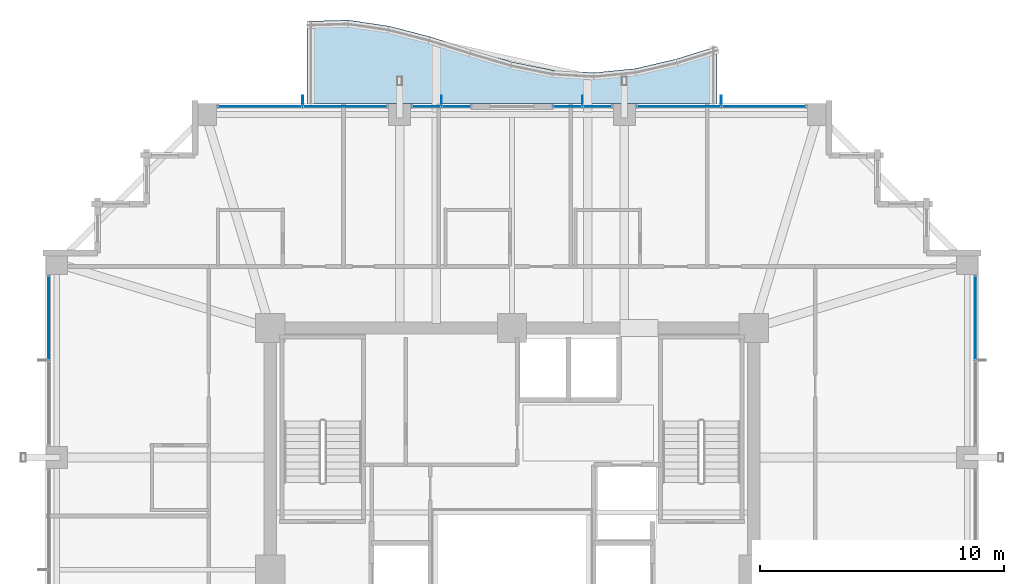
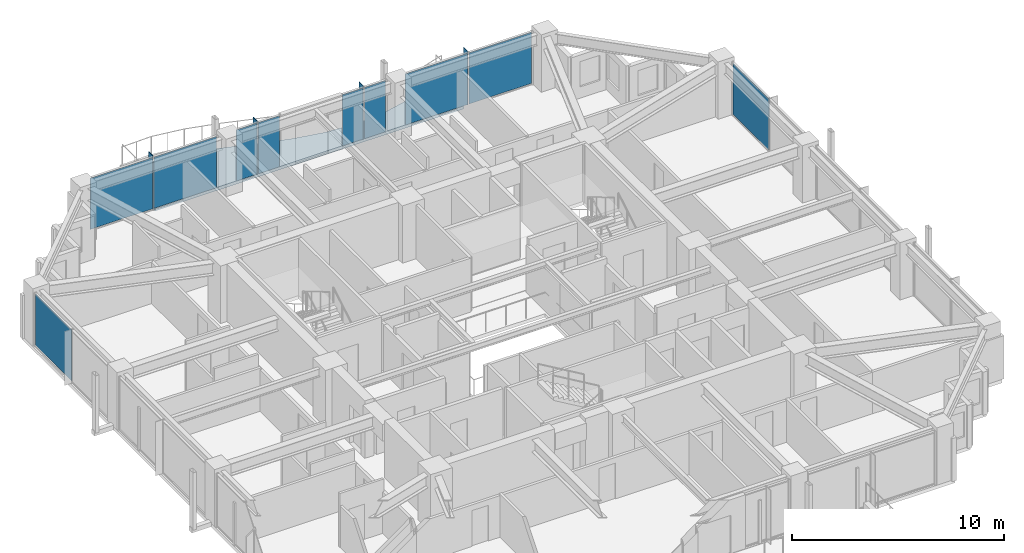
# One storey, part 25 of 32: 14 plates, 1 slab, 6 elements without a shape of their own.
"""IFC4 building model written with IfcOpenShell, lengths in metres."""

import ifcopenshell
import ifcopenshell.guid

model = None  # the IFC model being written
_history = None  # IfcOwnerHistory: only IFC2X3 demands one
_inside = {}  # id of a spatial element -> (the spatial element, [elements in it])
_under = {}  # id of a project, library or spatial element -> (it, [spatial elements below it])
_declared = {}  # id of a project -> (the project, [libraries it declares])
_typed = {}  # id of a type object -> (the type object, [elements of that type])
_made_of = {}  # id of a material, layer set ... -> (it, [elements and type objects made of it])


def new_model(schema):
    """Start an empty IFC model of exactly this schema.

    Asked for "IFC4X3", IfcOpenShell would pick the latest addendum, in which some entities
    have other attributes; the version numbers below select the first issue.
    IFC2X3 requires an IfcOwnerHistory on every rooted entity: one is made here for all.
    """
    global model, _history
    if schema == "IFC4X3":
        model = ifcopenshell.file(schema_version=(4, 3, 0, 0))
    else:
        model = ifcopenshell.file(schema=schema)
    _inside.clear()
    _under.clear()
    _declared.clear()
    _typed.clear()
    _made_of.clear()
    _history = None
    if model.schema == "IFC2X3":
        org = make("IfcOrganization", Name="unknown")
        user = make(
            "IfcPersonAndOrganization",
            ThePerson=make("IfcPerson", FamilyName="unknown"),
            TheOrganization=org,
        )
        app = make(
            "IfcApplication",
            ApplicationDeveloper=org,
            Version="unknown",
            ApplicationFullName="unknown",
            ApplicationIdentifier="unknown",
        )
        _history = make(
            "IfcOwnerHistory",
            OwningUser=user,
            OwningApplication=app,
            ChangeAction="ADDED",
            CreationDate=0,
        )
    return model


def make(cls, **values):
    """One entity of the class cls with the attributes given. An attribute that is None is left unset."""
    return model.create_entity(
        cls, **{name: value for name, value in values.items() if value is not None}
    )


def rooted(cls, **values):
    """An entity with a GlobalId (a new one), such as an element, a storey or a relation."""
    return make(cls, GlobalId=ifcopenshell.guid.new(), OwnerHistory=_history, **values)


def si_unit(unit_type, name, prefix=None):
    """IfcSIUnit, for example si_unit("LENGTHUNIT", "METRE", prefix="MILLI")."""
    return make("IfcSIUnit", UnitType=unit_type, Prefix=prefix, Name=name)


def assignment(units):
    """IfcUnitAssignment: the units of a project."""
    return None if units is None else make("IfcUnitAssignment", Units=units)


def point(xyz):
    """IfcCartesianPoint."""
    return None if xyz is None else make("IfcCartesianPoint", Coordinates=xyz)


def direction(xyz):
    """IfcDirection."""
    return None if xyz is None else make("IfcDirection", DirectionRatios=xyz)


def frame(location, z_axis=None, x_axis=None):
    """IfcAxis2Placement3D, a coordinate frame: its origin and axes. An axis left out is left unset."""
    return make(
        "IfcAxis2Placement3D",
        Location=point(location),
        Axis=direction(z_axis),
        RefDirection=direction(x_axis),
    )


def frame_2d(location, x_axis=None):
    """IfcAxis2Placement2D, a coordinate frame in the plane: its origin and x axis."""
    return make(
        "IfcAxis2Placement2D", Location=point(location), RefDirection=direction(x_axis)
    )


def origin():
    """The frame at (0, 0, 0) with its axes left unset."""
    return frame((0.0, 0.0, 0.0))


def origin_2d():
    """The frame at (0, 0) in the plane with its x axis left unset."""
    return frame_2d((0.0, 0.0))


def place(relative_to, where):
    """IfcLocalPlacement: puts the frame where relative to a parent placement (None: the world)."""
    return make(
        "IfcLocalPlacement", PlacementRelTo=relative_to, RelativePlacement=where
    )


def context(
    kind, dimensions, precision=None, world=None, true_north=None, identifier=None
):
    """IfcGeometricRepresentationContext, for example the 3D "Model" context."""
    return make(
        "IfcGeometricRepresentationContext",
        ContextIdentifier=identifier,
        ContextType=kind,
        CoordinateSpaceDimension=dimensions,
        Precision=precision,
        WorldCoordinateSystem=world,
        TrueNorth=true_north,
    )


def subcontext(parent, identifier, kind, view, scale=None):
    """IfcGeometricRepresentationSubContext, for example "Body" below "Model"."""
    return make(
        "IfcGeometricRepresentationSubContext",
        ContextIdentifier=identifier,
        ContextType=kind,
        ParentContext=parent,
        TargetScale=scale,
        TargetView=view,
    )


def project(units=None, contexts=None):
    """IfcProject with its units and contexts."""
    return rooted(
        "IfcProject",
        Name="project",
        RepresentationContexts=contexts,
        UnitsInContext=assignment(units),
    )


def spatial(cls, under=None, at=None, **own):
    """A site, building, storey or space (cls), placed at a placement, below another one or the project."""
    s = rooted(cls, ObjectPlacement=at, **own)
    if under is not None:
        _under.setdefault(under.id(), (under, []))[1].append(s)
    return s


def polyline(points):
    """IfcPolyline through the points."""
    return make("IfcPolyline", Points=[point(p) for p in points])


def profile(cls, at=None, kind="AREA", **sizes):
    """A parametric profile (cls). Its sizes go by their IFC names, for example OverallWidth=200.0."""
    return make(cls, ProfileType=kind, Position=at, **sizes)


def rectangle(**sizes):
    """IfcRectangleProfileDef."""
    return profile("IfcRectangleProfileDef", **sizes)


def outline(outer, holes=None, kind="AREA"):
    """IfcArbitraryClosedProfileDef: a profile drawn as a closed curve; with holes, ...WithVoids."""
    if holes is None:
        return make("IfcArbitraryClosedProfileDef", ProfileType=kind, OuterCurve=outer)
    return make(
        "IfcArbitraryProfileDefWithVoids",
        ProfileType=kind,
        OuterCurve=outer,
        InnerCurves=holes,
    )


def extrude(swept, where, along, depth):
    """IfcExtrudedAreaSolid: the profile swept, set in the frame where, extruded along a direction by depth."""
    return make(
        "IfcExtrudedAreaSolid",
        SweptArea=swept,
        Position=where,
        ExtrudedDirection=direction(along),
        Depth=depth,
    )


def shape(context_of_items, identifier, shape_type, items):
    """IfcShapeRepresentation: the items that make up one representation, for example the "Body"."""
    return make(
        "IfcShapeRepresentation",
        ContextOfItems=context_of_items,
        RepresentationIdentifier=identifier,
        RepresentationType=shape_type,
        Items=items,
    )


def material(Name=None, Category=None):
    """IfcMaterial."""
    return make("IfcMaterial", Name=Name, Category=Category)


def layer(
    of_material, thickness, ventilated=None, Name=None, Category=None, Priority=None
):
    """IfcMaterialLayer: one layer of a wall or slab, of a material (None: an air gap)."""
    return make(
        "IfcMaterialLayer",
        Material=of_material,
        LayerThickness=thickness,
        IsVentilated=ventilated,
        Name=Name,
        Category=Category,
        Priority=Priority,
    )


def layer_set(layers, Name=None):
    """IfcMaterialLayerSet."""
    return make("IfcMaterialLayerSet", MaterialLayers=layers, LayerSetName=Name)


def made_of(thing, what):
    """Note that an element or type object is made of a material, layer set ...; save() writes the relation."""
    if what is not None:
        _made_of.setdefault(what.id(), (what, []))[1].append(thing)
    return thing


def type_object(cls, material=None, **own):
    """A type object (cls), such as IfcWallType, which elements share."""
    return made_of(rooted(cls, **own), material)


def element(
    cls,
    number,
    at=None,
    inside=None,
    cuts=None,
    type_object=None,
    material=None,
    context=None,
    identifier="Body",
    shape_type=None,
    held_by="IfcProductDefinitionShape",
    body=None,
    shapes=None,
    **own,
):
    """One element of the class cls, such as IfcWall. Its Tag is "e" and its number.

    at: its placement. inside: the storey or other place that contains it. cuts: it is an
    opening in that element (IfcRelVoidsElement). A single representation is given by context,
    identifier, shape_type and body (its items); several are given by shapes. held_by: the class
    of the entity that holds the representations. save() writes the other relations.
    """
    e = rooted(cls, Tag="e%d" % number, ObjectPlacement=at, **own)
    if body is not None:
        shapes = [shape(context, identifier, shape_type, body)]
    if shapes is not None:
        e.Representation = make(held_by, Representations=shapes)
    if inside is not None:
        _inside.setdefault(inside.id(), (inside, []))[1].append(e)
    if cuts is not None:
        rooted(
            "IfcRelVoidsElement", RelatingBuildingElement=cuts, RelatedOpeningElement=e
        )
    if type_object is not None:
        _typed.setdefault(type_object.id(), (type_object, []))[1].append(e)
    return made_of(e, material)


def aggregate(whole, parts):
    """IfcRelAggregates: a whole, such as a stair, and the parts it consists of."""
    return rooted("IfcRelAggregates", RelatingObject=whole, RelatedObjects=parts)


def save(model, path):
    """Write the relations noted so far, then the file.

    IfcRelAggregates (storeys below a building ...), IfcRelContainedInSpatialStructure (elements
    in a storey), IfcRelDefinesByType, IfcRelAssociatesMaterial and IfcRelDeclares: one each for
    every whole, place, type object, material and project.
    """
    for whole, parts in _under.values():
        aggregate(whole, parts)
    for where, things in _inside.values():
        rooted(
            "IfcRelContainedInSpatialStructure",
            RelatedElements=things,
            RelatingStructure=where,
        )
    for kind, things in _typed.values():
        rooted("IfcRelDefinesByType", RelatedObjects=things, RelatingType=kind)
    for what, things in _made_of.values():
        rooted("IfcRelAssociatesMaterial", RelatedObjects=things, RelatingMaterial=what)
    for by, libraries in _declared.values():
        rooted("IfcRelDeclares", RelatingContext=by, RelatedDefinitions=libraries)
    model.write(path)


model = new_model("IFC4")

# Units and contexts
model_context = context("Model", 3, precision=1e-05, world=origin(), true_north=direction((0.0, 1.0)))
body_context = subcontext(model_context, "Body", "Model", "MODEL_VIEW")
ifc_project = project(units=[si_unit("LENGTHUNIT", "METRE"), si_unit("AREAUNIT", "SQUARE_METRE"), si_unit("VOLUMEUNIT", "CUBIC_METRE"), si_unit("PLANEANGLEUNIT", "RADIAN"), si_unit("MASSUNIT", "GRAM", prefix="KILO")], contexts=[model_context])

# Site, building, storey
site_placement = place(None, origin())
site = spatial("IfcSite", under=ifc_project, at=site_placement, CompositionType="ELEMENT")
building_placement = place(site_placement, origin())
building = spatial("IfcBuilding", under=site, at=building_placement, Name="Kolvaren Belvedere", CompositionType="ELEMENT")
storey_placement = place(building_placement, frame((0.0, 0.0, 160.199951171875)))
storey = spatial("IfcBuildingStorey", under=building, at=storey_placement, Name="L46", CompositionType="ELEMENT", Elevation=160.199951171875)

# Curtain wall, plate
ifc_material_1 = material(Name="Anodised pale-metal aluminium AA 6063-T6", Category="aluminium")
curtain_wall_type = type_object("IfcCurtainWallType", Name="CW-Z3-WAIST", PredefinedType="NOTDEFINED", material=ifc_material_1)
curtain_wall_1_placement = place(storey_placement, origin())
curtain_wall_1 = element("IfcCurtainWall", 1, at=curtain_wall_1_placement, inside=storey, type_object=curtain_wall_type, Name="L46 Unitised Curtain Wall FCW-L46-E-B1", PredefinedType="NOTDEFINED")
ifc_material_2 = material(Name="Low-iron triple insulated glass", Category="glass")
ifc_layer_1 = layer(ifc_material_2, 0.028076171875)
ifc_layer_set_1 = layer_set([ifc_layer_1], Name="Low-iron triple insulated glass")
plate_type_1 = type_object("IfcPlateType", Name="CW-PNL-VIS28", PredefinedType="CURTAIN_PANEL", material=ifc_layer_set_1)
plate_1_placement = place(storey_placement, frame((18.97998046875, 10.311279296875, 0.080078125), z_axis=(0.0, 0.0, 1.0), x_axis=(0.0, -1.0, 0.0)))
plate_1 = element("IfcPlate", 2, at=plate_1_placement, type_object=plate_type_1, Name="FCW-L46-E-B1 Vision Glazing Panel 1", PredefinedType="CURTAIN_PANEL", context=body_context, shape_type="SweptSolid", body=[
    extrude(rectangle(XDim=3.392578125, YDim=0.028076171875, at=origin_2d()), origin(), (0.0, 0.0, 1.0), 2.93994140625),
])
aggregate(curtain_wall_1, [plate_1])

# Curtain wall, plates
curtain_wall_2_placement = place(storey_placement, origin())
curtain_wall_2 = element("IfcCurtainWall", 3, at=curtain_wall_2_placement, inside=storey, type_object=curtain_wall_type, Name="L46 Unitised Curtain Wall FCW-L46-N1-B1", PredefinedType="NOTDEFINED")
plate_2_placement = place(storey_placement, frame((-10.311279296875, 18.97998046875, 0.080078125), z_axis=(0.0, 0.0, 1.0), x_axis=(1.0, 0.0, 0.0)))
plate_2 = element("IfcPlate", 4, at=plate_2_placement, type_object=plate_type_1, Name="FCW-L46-N1-B1 Vision Glazing Panel 1", PredefinedType="CURTAIN_PANEL", context=body_context, shape_type="SweptSolid", body=[
    extrude(rectangle(XDim=3.392578125, YDim=0.028076171875, at=origin_2d()), origin(), (0.0, 0.0, 1.0), 2.93994140625),
])
plate_3_placement = place(storey_placement, frame((-6.8388671875, 18.97998046875, 0.080078125), z_axis=(0.0, 0.0, 1.0), x_axis=(1.0, 0.0, 0.0)))
plate_3 = element("IfcPlate", 5, at=plate_3_placement, type_object=plate_type_1, Name="FCW-L46-N1-B1 Vision Glazing Panel 2", PredefinedType="CURTAIN_PANEL", context=body_context, shape_type="SweptSolid", body=[
    extrude(rectangle(XDim=3.392578125, YDim=0.028076171875, at=origin_2d()), origin(), (0.0, 0.0, 1.0), 2.93994140625),
])
aggregate(curtain_wall_2, [plate_2, plate_3])

curtain_wall_3_placement = place(storey_placement, origin())
curtain_wall_3 = element("IfcCurtainWall", 6, at=curtain_wall_3_placement, inside=storey, type_object=curtain_wall_type, Name="L46 Unitised Curtain Wall FCW-L46-N1-B2", PredefinedType="NOTDEFINED")
plate_4_placement = place(storey_placement, frame((-3.4931640625, 18.97998046875, 0.080078125), z_axis=(0.0, 0.0, 1.0), x_axis=(1.0, 0.0, 0.0)))
plate_4 = element("IfcPlate", 7, at=plate_4_placement, type_object=plate_type_1, Name="FCW-L46-N1-B2 Vision Glazing Panel 1", PredefinedType="CURTAIN_PANEL", context=body_context, shape_type="SweptSolid", body=[
    extrude(rectangle(XDim=1.12890625, YDim=0.028076171875, at=origin_2d()), origin(), (0.0, 0.0, 1.0), 2.93994140625),
])
plate_5_placement = place(storey_placement, frame((-2.284423828125, 18.97998046875, 0.080078125), z_axis=(0.0, 0.0, 1.0), x_axis=(1.0, 0.0, 0.0)))
plate_5 = element("IfcPlate", 8, at=plate_5_placement, type_object=plate_type_1, Name="FCW-L46-N1-B2 Vision Glazing Panel 2", PredefinedType="CURTAIN_PANEL", context=body_context, shape_type="SweptSolid", body=[
    extrude(rectangle(XDim=1.12890625, YDim=0.028076171875, at=origin_2d()), origin(), (0.0, 0.0, 1.0), 2.93994140625),
])
aggregate(curtain_wall_3, [plate_4, plate_5])

curtain_wall_4_placement = place(storey_placement, origin())
curtain_wall_4 = element("IfcCurtainWall", 9, at=curtain_wall_4_placement, inside=storey, type_object=curtain_wall_type, Name="L46 Unitised Curtain Wall FCW-L46-N2-B1", PredefinedType="NOTDEFINED")
plate_6_placement = place(storey_placement, frame((2.284423828125, 18.97998046875, 0.080078125), z_axis=(0.0, 0.0, 1.0), x_axis=(1.0, 0.0, 0.0)))
plate_6 = element("IfcPlate", 10, at=plate_6_placement, type_object=plate_type_1, Name="FCW-L46-N2-B1 Vision Glazing Panel 1", PredefinedType="CURTAIN_PANEL", context=body_context, shape_type="SweptSolid", body=[
    extrude(rectangle(XDim=1.12890625, YDim=0.028076171875, at=origin_2d()), origin(), (0.0, 0.0, 1.0), 2.93994140625),
])
plate_7_placement = place(storey_placement, frame((3.4931640625, 18.97998046875, 0.080078125), z_axis=(0.0, 0.0, 1.0), x_axis=(1.0, 0.0, 0.0)))
plate_7 = element("IfcPlate", 11, at=plate_7_placement, type_object=plate_type_1, Name="FCW-L46-N2-B1 Vision Glazing Panel 2", PredefinedType="CURTAIN_PANEL", context=body_context, shape_type="SweptSolid", body=[
    extrude(rectangle(XDim=1.12890625, YDim=0.028076171875, at=origin_2d()), origin(), (0.0, 0.0, 1.0), 2.93994140625),
])
aggregate(curtain_wall_4, [plate_6, plate_7])

curtain_wall_5_placement = place(storey_placement, origin())
curtain_wall_5 = element("IfcCurtainWall", 12, at=curtain_wall_5_placement, inside=storey, type_object=curtain_wall_type, Name="L46 Unitised Curtain Wall FCW-L46-N2-B2", PredefinedType="NOTDEFINED")
plate_8_placement = place(storey_placement, frame((6.8388671875, 18.97998046875, 0.080078125), z_axis=(0.0, 0.0, 1.0), x_axis=(1.0, 0.0, 0.0)))
plate_8 = element("IfcPlate", 13, at=plate_8_placement, type_object=plate_type_1, Name="FCW-L46-N2-B2 Vision Glazing Panel 1", PredefinedType="CURTAIN_PANEL", context=body_context, shape_type="SweptSolid", body=[
    extrude(rectangle(XDim=3.392578125, YDim=0.028076171875, at=origin_2d()), origin(), (0.0, 0.0, 1.0), 2.93994140625),
])
plate_9_placement = place(storey_placement, frame((10.311279296875, 18.97998046875, 0.080078125), z_axis=(0.0, 0.0, 1.0), x_axis=(1.0, 0.0, 0.0)))
plate_9 = element("IfcPlate", 14, at=plate_9_placement, type_object=plate_type_1, Name="FCW-L46-N2-B2 Vision Glazing Panel 2", PredefinedType="CURTAIN_PANEL", context=body_context, shape_type="SweptSolid", body=[
    extrude(rectangle(XDim=3.392578125, YDim=0.028076171875, at=origin_2d()), origin(), (0.0, 0.0, 1.0), 2.93994140625),
])
aggregate(curtain_wall_5, [plate_8, plate_9])

# Curtain wall, plate
curtain_wall_6_placement = place(storey_placement, origin())
curtain_wall_6 = element("IfcCurtainWall", 15, at=curtain_wall_6_placement, inside=storey, type_object=curtain_wall_type, Name="L46 Unitised Curtain Wall FCW-L46-W-B3", PredefinedType="NOTDEFINED")
plate_10_placement = place(storey_placement, frame((-18.97998046875, 10.311279296875, 0.080078125), z_axis=(0.0, 0.0, 1.0), x_axis=(0.0, 1.0, 0.0)))
plate_10 = element("IfcPlate", 16, at=plate_10_placement, type_object=plate_type_1, Name="FCW-L46-W-B3 Vision Glazing Panel 2", PredefinedType="CURTAIN_PANEL", context=body_context, shape_type="SweptSolid", body=[
    extrude(rectangle(XDim=3.392578125, YDim=0.028076171875, at=origin_2d()), origin(), (0.0, 0.0, 1.0), 2.93994140625),
])
aggregate(curtain_wall_6, [plate_10])

# Plates
ifc_material_3 = material(Name="Anodised pale-metal aluminium AA 6063-T6", Category="aluminium")
ifc_layer_2 = layer(ifc_material_3, 0.033935546875)
ifc_layer_set_2 = layer_set([ifc_layer_2], Name="Anodised pale-metal aluminium AA 6063-T6")
plate_type_2 = type_object("IfcPlateType", Name="FIN-VERT-380", PredefinedType="USERDEFINED", material=ifc_layer_set_2)
for number, where, z_axis, x_axis, name in (
    (17, (-8.574951171875, 19.219970703125, 0.0), (0.0, 0.0, 1.0), (0.0, 1.0, 0.0), "L46 Pale-Metal Vertical Shading Fin FCW-L46-N1-B1-1"),
    (18, (-2.888671875, 19.219970703125, 0.0), (0.0, 0.0, 1.0), (0.0, 1.0, 0.0), "L46 Pale-Metal Vertical Shading Fin FCW-L46-N1-B2-1"),
    (19, (2.888671875, 19.219970703125, 0.0), (0.0, 0.0, 1.0), (0.0, 1.0, 0.0), "L46 Pale-Metal Vertical Shading Fin FCW-L46-N2-B1-1"),
    (20, (8.574951171875, 19.219970703125, 0.0), (0.0, 0.0, 1.0), (0.0, 1.0, 0.0), "L46 Pale-Metal Vertical Shading Fin FCW-L46-N2-B2-1"),
):
    element("IfcPlate", number, at=place(storey_placement, frame(where, z_axis=z_axis, x_axis=x_axis)), inside=storey, type_object=plate_type_2, Name=name, ObjectType="VERTICAL FIN", PredefinedType="USERDEFINED", context=body_context, shape_type="SweptSolid", body=[
        extrude(rectangle(XDim=0.3798828125, YDim=0.033935546875, at=origin_2d()), origin(), (0.0, 0.0, 1.0), 3.10009765625),
    ])

# Slab
ifc_material_4 = material(Name="Concrete C50/60", Category="concrete")
ifc_layer_3 = layer(ifc_material_4, 0.179931640625)
ifc_layer_set_3 = layer_set([ifc_layer_3], Name="Concrete C50/60")
slab_type = type_object("IfcSlabType", Name="SL-BAL-180", PredefinedType="FLOOR", material=ifc_layer_set_3)
slab_placement = place(storey_placement, frame((0.0, 0.0, -0.199951171875)))
element("IfcSlab", 21, at=slab_placement, inside=storey, type_object=slab_type, Name="L46 Planted Balcony BAL-N", PredefinedType="FLOOR", context=body_context, shape_type="SweptSolid", body=[
    extrude(outline(polyline([(-8.39990234375, 19.10009765625), (-6.719970703125, 19.10009765625), (-5.0400390625, 19.10009765625), (-3.360107421875, 19.10009765625), (-1.679931640625, 19.10009765625), (0.0, 19.10009765625), (1.679931640625, 19.10009765625), (3.360107421875, 19.10009765625), (5.0400390625, 19.10009765625), (6.719970703125, 19.10009765625), (8.39990234375, 19.10009765625), (8.39990234375, 21.43994140625), (6.719970703125, 20.919677734375), (5.0400390625, 20.528076171875), (3.360107421875, 20.362060546875), (1.679931640625, 20.462890625), (0.0, 20.80517578125), (-1.679931640625, 21.3046875), (-3.360107421875, 21.837646484375), (-5.0400390625, 22.272216796875), (-6.719970703125, 22.52001953125), (-8.39990234375, 22.467041015625), (-8.39990234375, 19.10009765625)])), origin(), (0.0, 0.0, 1.0), 0.179931640625),
])

save(model, "model.ifc")
